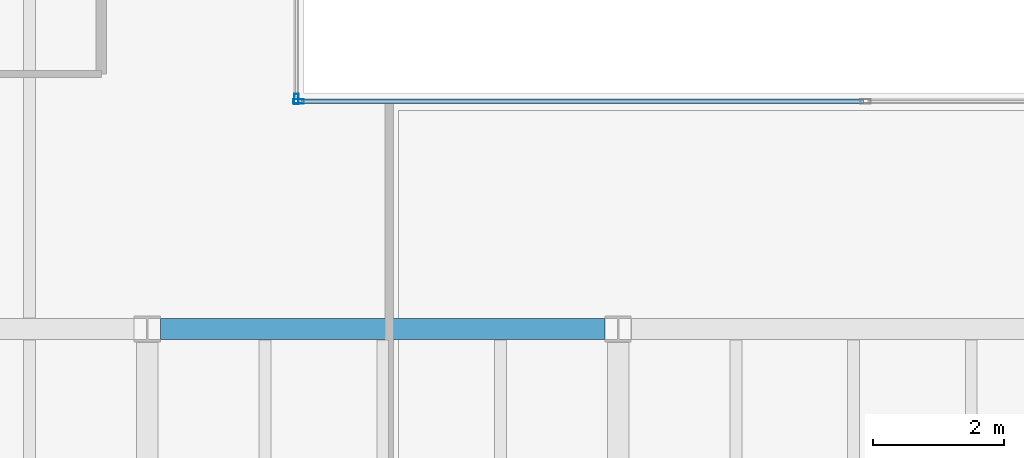
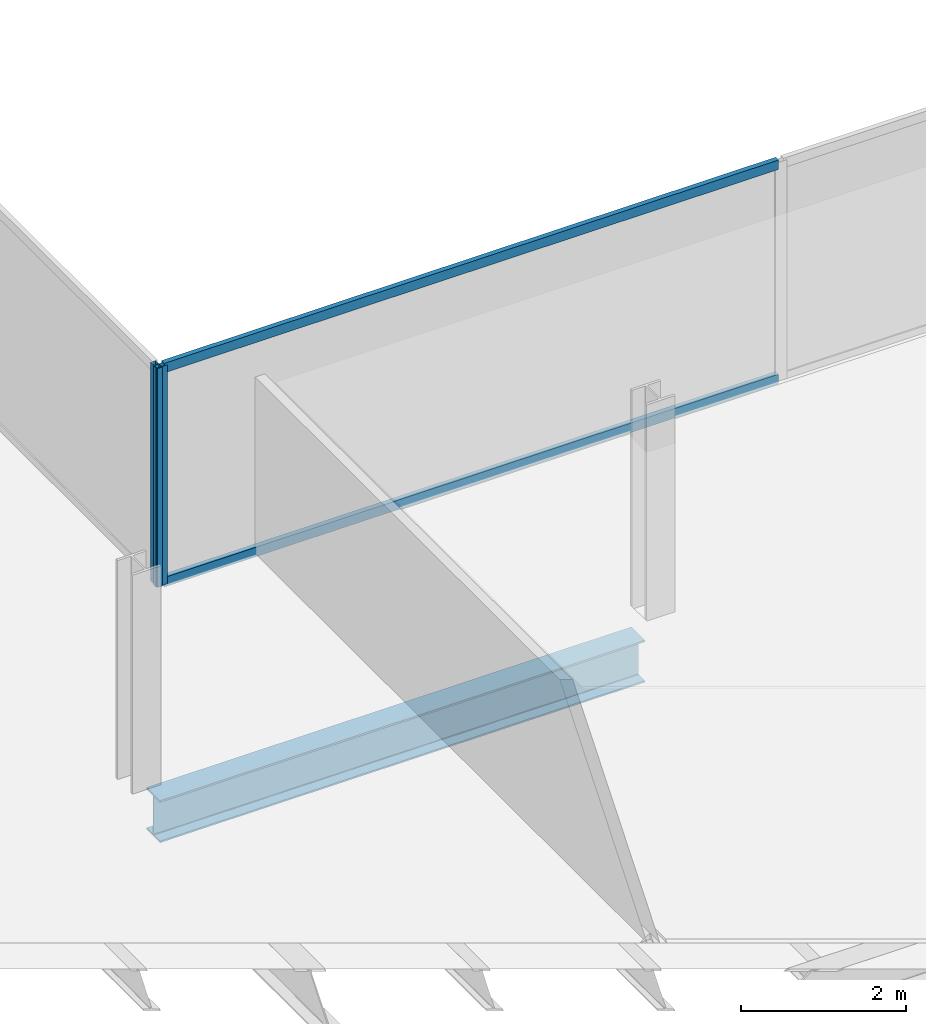
# One storey, part 8 of 23: 4 members, 1 beam, 2 elements without a shape of their own.
"""IFC4 building model written with IfcOpenShell, lengths in metres."""

from ifc_helpers import new_model, si_unit, direction, frame, origin, origin_2d, place, context, subcontext, project, spatial, hollow_rectangle, i_section, extrude, material, material_profile, profile_set, type_object, element, aggregate, save


model = new_model("IFC4")

# Units and contexts
model_context = context("Model", 3, precision=1e-05, world=origin(), true_north=direction((0.0, 1.0)))
body_context = subcontext(model_context, "Body", "Model", "MODEL_VIEW")
ifc_project = project(units=[si_unit("LENGTHUNIT", "METRE"), si_unit("AREAUNIT", "SQUARE_METRE"), si_unit("VOLUMEUNIT", "CUBIC_METRE"), si_unit("PLANEANGLEUNIT", "RADIAN"), si_unit("MASSUNIT", "GRAM", prefix="KILO")], contexts=[model_context])

# Site, building, storey
site_placement = place(None, origin())
site = spatial("IfcSite", under=ifc_project, at=site_placement, CompositionType="ELEMENT")
building_placement = place(site_placement, origin())
building = spatial("IfcBuilding", under=site, at=building_placement, Name="Cobrela Telecom Tower", CompositionType="ELEMENT")
storey_placement = place(building_placement, frame((0.0, 0.0, 197.75)))
storey = spatial("IfcBuildingStorey", under=building, at=storey_placement, Name="L50", CompositionType="ELEMENT", Elevation=197.75)

# Beam
ifc_material_1 = material(Name="Steel ASTM A992 Grade 50", Category="steel")
ifc_material_profile_1 = material_profile(ifc_material_1, i_section(OverallWidth=0.327880859375, OverallDepth=0.6220703125, WebThickness=0.015380859375, FlangeThickness=0.0244140625, FilletRadius=0.014892578125, at=origin_2d()), Name="W24X131")
ifc_profile_set_1 = profile_set([ifc_material_profile_1], Name="Steel ASTM A992 Grade 50")
beam_type = type_object("IfcBeamType", Name="BM-GIRD-06", PredefinedType="USERDEFINED", material=ifc_profile_set_1)
beam_placement = place(storey_placement, frame((21.804443359375, 21.60009765625, -0.571044921875), z_axis=(1.0, 0.0, 0.0), x_axis=(0.0, 1.0, 0.0)))
element("IfcBeam", 1, at=beam_placement, inside=storey, type_object=beam_type, Name="L50 Primary Girder X16", ObjectType="GIRDER", PredefinedType="USERDEFINED", context=body_context, shape_type="SweptSolid", body=[
    extrude(i_section(OverallWidth=0.327880859375, OverallDepth=0.6220703125, WebThickness=0.015380859375, FlangeThickness=0.0244140625, FilletRadius=0.014892578125, at=origin_2d()), origin(), (0.0, 0.0, 1.0), 6.791015625),
])

# Curtain wall, member
ifc_material_2 = material(Name="Anodized Bronze Aluminium 6063-T6", Category="aluminium")
curtain_wall_type = type_object("IfcCurtainWallType", Name="CW-SYS-OFF-LO", PredefinedType="USERDEFINED", material=ifc_material_2)
curtain_wall_1_placement = place(storey_placement, origin())
curtain_wall_1 = element("IfcCurtainWall", 2, at=curtain_wall_1_placement, inside=storey, type_object=curtain_wall_type, Name="L50 Unitised Bronze Curtain Wall 10", ObjectType="UNITISED CURTAIN WALL", PredefinedType="USERDEFINED")
ifc_material_profile_2 = material_profile(ifc_material_2, hollow_rectangle(XDim=0.070068359375, YDim=0.159912109375, WallThickness=0.00390625, at=origin_2d()), Name="ALU 70x160x4")
ifc_profile_set_2 = profile_set([ifc_material_profile_2], Name="Anodized Bronze Aluminium 6063-T6")
member_type_1 = type_object("IfcMemberType", Name="CW-SYS-OFF-LO-MUL", PredefinedType="MULLION", material=ifc_profile_set_2)
member_1_placement = place(storey_placement, frame((23.8798828125, 25.114990234375, 0.0), z_axis=(0.0, 0.0, 1.0), x_axis=(1.0, 0.0, 0.0)))
member_1 = element("IfcMember", 3, at=member_1_placement, type_object=member_type_1, Name="CW-OFF-LO mullion 3", PredefinedType="MULLION", context=body_context, shape_type="SweptSolid", body=[
    extrude(hollow_rectangle(XDim=0.070068359375, YDim=0.159912109375, WallThickness=0.00390625, at=origin_2d()), origin(), (0.0, 0.0, 1.0), 3.239990234375),
])
aggregate(curtain_wall_1, [member_1])

# Curtain wall, members
curtain_wall_2_placement = place(storey_placement, origin())
curtain_wall_2 = element("IfcCurtainWall", 4, at=curtain_wall_2_placement, inside=storey, type_object=curtain_wall_type, Name="L50 Unitised Bronze Curtain Wall 11", ObjectType="UNITISED CURTAIN WALL", PredefinedType="USERDEFINED")
member_2_placement = place(storey_placement, frame((23.9150390625, 25.080078125, 0.0), z_axis=(0.0, 0.0, 1.0), x_axis=(0.0, 1.0, 0.0)))
member_2 = element("IfcMember", 5, at=member_2_placement, type_object=member_type_1, Name="CW-OFF-LO mullion 1", PredefinedType="MULLION", context=body_context, shape_type="SweptSolid", body=[
    extrude(hollow_rectangle(XDim=0.070068359375, YDim=0.159912109375, WallThickness=0.00390625, at=origin_2d()), origin(), (0.0, 0.0, 1.0), 3.239990234375),
])
ifc_material_profile_3 = material_profile(ifc_material_2, hollow_rectangle(XDim=0.070068359375, YDim=0.139892578125, WallThickness=0.00390625, at=origin_2d()), Name="ALU 70x140x4")
ifc_profile_set_3 = profile_set([ifc_material_profile_3], Name="Anodized Bronze Aluminium 6063-T6")
member_type_2 = type_object("IfcMemberType", Name="CW-SYS-OFF-LO-TRN", PredefinedType="USERDEFINED", material=ifc_profile_set_3)
member_3_placement = place(storey_placement, frame((23.949951171875, 25.080078125, 0.034912109375), z_axis=(1.0, 0.0, 0.0), x_axis=(0.0, 1.0, 0.0)))
member_3 = element("IfcMember", 6, at=member_3_placement, type_object=member_type_2, Name="CW-OFF-LO transom 1.1", ObjectType="TRANSOM", PredefinedType="USERDEFINED", context=body_context, shape_type="SweptSolid", body=[
    extrude(hollow_rectangle(XDim=0.070068359375, YDim=0.139892578125, WallThickness=0.00390625, at=origin_2d()), origin(), (0.0, 0.0, 1.0), 8.60009765625),
])
member_4_placement = place(storey_placement, frame((23.949951171875, 25.080078125, 3.205078125), z_axis=(1.0, 0.0, 0.0), x_axis=(0.0, 1.0, 0.0)))
member_4 = element("IfcMember", 7, at=member_4_placement, type_object=member_type_2, Name="CW-OFF-LO transom 1.2", ObjectType="TRANSOM", PredefinedType="USERDEFINED", context=body_context, shape_type="SweptSolid", body=[
    extrude(hollow_rectangle(XDim=0.070068359375, YDim=0.139892578125, WallThickness=0.00390625, at=origin_2d()), origin(), (0.0, 0.0, 1.0), 8.60009765625),
])
aggregate(curtain_wall_2, [member_2, member_3, member_4])

save(model, "model.ifc")
